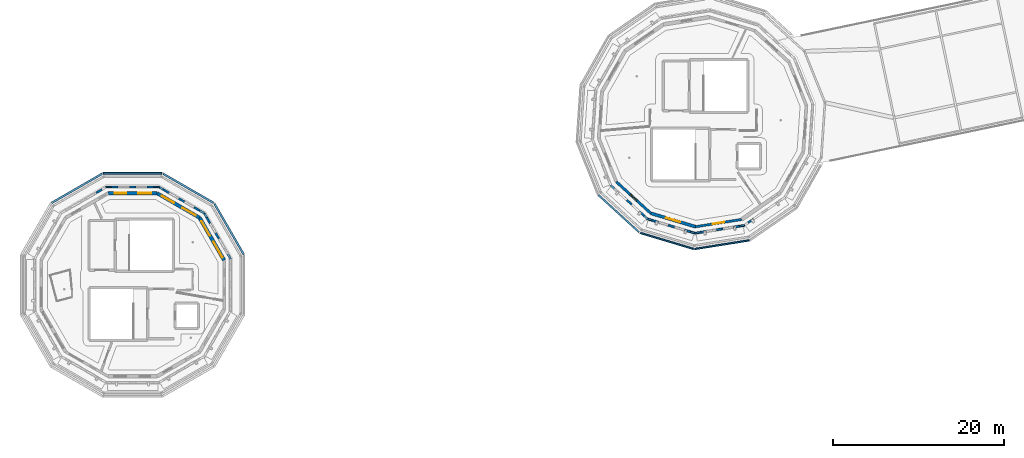
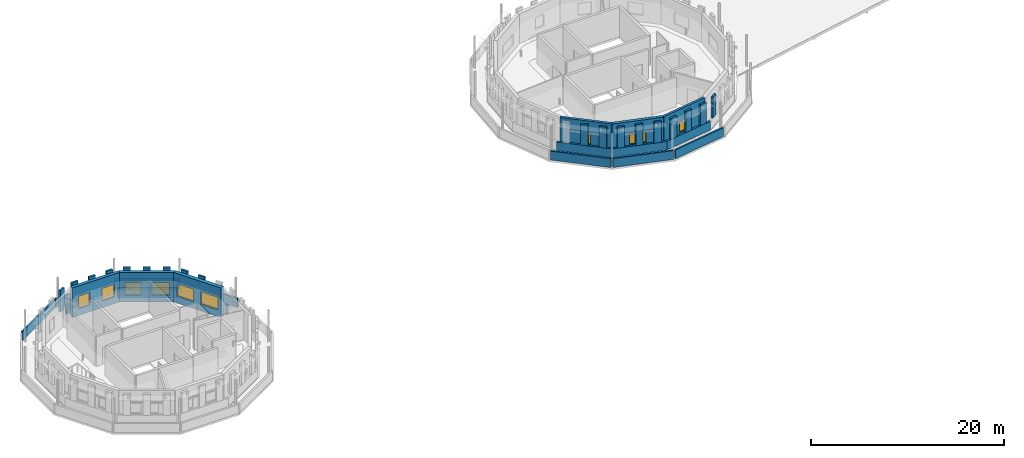
# One storey, part 38 of 51: 37 walls, 9 windows, 9 openings.
"""IFC4 building model written with IfcOpenShell, lengths in metres."""

from ifc_helpers import new_model, si_unit, direction, frame, frame_2d, origin, place, context, subcontext, project, spatial, rectangle, extrude, material, layer, layer_set, type_object, element, fill, save


model = new_model("IFC4")

# Units and contexts
model_context = context("Model", 3, precision=1e-05, world=origin(), true_north=direction((0.0, 1.0)))
body_context = subcontext(model_context, "Body", "Model", "MODEL_VIEW")
ifc_project = project(units=[si_unit("LENGTHUNIT", "METRE"), si_unit("AREAUNIT", "SQUARE_METRE"), si_unit("VOLUMEUNIT", "CUBIC_METRE"), si_unit("PLANEANGLEUNIT", "RADIAN"), si_unit("MASSUNIT", "GRAM", prefix="KILO")], contexts=[model_context])

# Site, building, storey
site_placement = place(None, origin())
site = spatial("IfcSite", under=ifc_project, at=site_placement, CompositionType="ELEMENT")
building_placement = place(site_placement, origin())
building = spatial("IfcBuilding", under=site, at=building_placement, Name="Wrenclough Park School", CompositionType="ELEMENT")
storey_placement = place(building_placement, frame((0.0, 0.0, 16.800048828125)))
storey = spatial("IfcBuildingStorey", under=building, at=storey_placement, Name="L04", CompositionType="ELEMENT", Elevation=16.800048828125)

# Walls
ifc_material_1 = material(Name="Perforated open-bond Staffordshire and Manchester brick screen pier", Category="masonry")
ifc_layer_1 = layer(ifc_material_1, 0.2451171875)
ifc_layer_set_1 = layer_set([ifc_layer_1], Name="Perforated open-bond Staffordshire and Manchester brick screen pier")
wall_type_1 = type_object("IfcWallType", Name="ENV-BS-PR245", PredefinedType="ELEMENTEDWALL", material=ifc_layer_set_1)
for number, where, z_axis, x_axis, name in (
    (1, (26.572265625, 94.87646484375, 1.08984375), (0.0, 0.0, 1.0), (-0.49987077196, 0.866100000774, 0.0), "D3 L04 perforated brick screen pier 0885"),
    (2, (25.537109375, 96.669677734375, 1.08984375), (0.0, 0.0, 1.0), (-0.500111695708, 0.865960906633, 0.0), "D3 L04 perforated brick screen pier 0886"),
    (3, (24.327880859375, 98.156982421875, 1.08984375), (0.0, 0.0, 1.0), (-0.865960906633, 0.500111695708, 0.0), "D3 L04 perforated brick screen pier 0887"),
    (4, (22.53466796875, 99.1923828125, 1.08984375), (0.0, 0.0, 1.0), (-0.866100000774, 0.49987077196, 0.0), "D3 L04 perforated brick screen pier 0888"),
    (5, (20.741455078125, 100.2275390625, 1.08984375), (0.0, 0.0, 1.0), (-0.865960906633, 0.500111695708, 0.0), "D3 L04 perforated brick screen pier 0889"),
    (6, (18.950439453125, 100.9111328125, 1.08984375), (0.0, 0.0, 1.0), (-1.0, 0.0, 0.0), "D3 L04 perforated brick screen pier 0890"),
):
    element("IfcWall", number, at=place(storey_placement, frame(where, z_axis=z_axis, x_axis=x_axis)), inside=storey, type_object=wall_type_1, Name=name, PredefinedType="ELEMENTEDWALL", context=body_context, shape_type="SweptSolid", body=[
        extrude(rectangle(XDim=0.760009765625, YDim=0.2451171875, at=frame_2d((0.3798828125, 0.0))), origin(), (0.0, 0.0, 1.0), 2.650146484375),
    ])
wall_1_placement = place(storey_placement, frame((16.8798828125, 100.9111328125, 1.08984375), z_axis=(0.0, 0.0, 1.0), x_axis=(-1.0, 0.0, 0.0)))
element("IfcWall", 7, at=wall_1_placement, inside=storey, type_object=wall_type_1, Name="D3 L04 perforated brick screen pier 0891", PredefinedType="ELEMENTEDWALL", context=body_context, shape_type="SweptSolid", body=[
    extrude(rectangle(XDim=0.759765625, YDim=0.2451171875, at=frame_2d((0.3798828125, 0.0))), origin(), (0.0, 0.0, 1.0), 2.650146484375),
])
for number, where, z_axis, x_axis, name in (
    (8, (14.8095703125, 100.9111328125, 1.08984375), (0.0, 0.0, 1.0), (-1.0, 0.0, 0.0), "D3 L04 perforated brick screen pier 0892"),
    (9, (12.916748046875, 100.607666015625, 1.08984375), (0.0, 0.0, 1.0), (-0.865960906633, -0.500111695708, 0.0), "D3 L04 perforated brick screen pier 0893"),
):
    element("IfcWall", number, at=place(storey_placement, frame(where, z_axis=z_axis, x_axis=x_axis)), inside=storey, type_object=wall_type_1, Name=name, PredefinedType="ELEMENTEDWALL", context=body_context, shape_type="SweptSolid", body=[
        extrude(rectangle(XDim=0.760009765625, YDim=0.2451171875, at=frame_2d((0.3798828125, 0.0))), origin(), (0.0, 0.0, 1.0), 2.650146484375),
    ])
for number, where, z_axis, x_axis, name in (
    (10, (74.15869140625, 99.390380859375, 1.08984375), (0.0, 0.0, 1.0), (0.738047098779, -0.674749197839, 0.0), "D4 L04 perforated brick screen pier 0945"),
    (11, (75.60400390625, 98.069091796875, 1.08984375), (0.0, 0.0, 1.0), (0.738047098779, -0.674749197839, 0.0), "D4 L04 perforated brick screen pier 0946"),
):
    element("IfcWall", number, at=place(storey_placement, frame(where, z_axis=z_axis, x_axis=x_axis)), inside=storey, type_object=wall_type_1, Name=name, PredefinedType="ELEMENTEDWALL", context=body_context, shape_type="SweptSolid", body=[
        extrude(rectangle(XDim=0.759765625, YDim=0.2451171875, at=frame_2d((0.3798828125, 0.0))), origin(), (0.0, 0.0, 1.0), 2.650146484375),
    ])
wall_2_placement = place(storey_placement, frame((77.111328125, 97.01953125, 1.08984375), z_axis=(0.0, 0.0, 1.0), x_axis=(0.957675839893, -0.287848893842, 0.0)))
element("IfcWall", 12, at=wall_2_placement, inside=storey, type_object=wall_type_1, Name="D4 L04 perforated brick screen pier 0947", PredefinedType="ELEMENTEDWALL", context=body_context, shape_type="SweptSolid", body=[
    extrude(rectangle(XDim=0.760009765625, YDim=0.2451171875, at=frame_2d((0.3798828125, 0.0))), origin(), (0.0, 0.0, 1.0), 2.650146484375),
])
wall_3_placement = place(storey_placement, frame((78.98681640625, 96.456298828125, 1.08984375), z_axis=(0.0, 0.0, 1.0), x_axis=(0.957764363162, -0.287554211684, 0.0)))
element("IfcWall", 13, at=wall_3_placement, inside=storey, type_object=wall_type_1, Name="D4 L04 perforated brick screen pier 0948", PredefinedType="ELEMENTEDWALL", context=body_context, shape_type="SweptSolid", body=[
    extrude(rectangle(XDim=0.759765625, YDim=0.2451171875, at=frame_2d((0.3798828125, 0.0))), origin(), (0.0, 0.0, 1.0), 2.650146484375),
])
wall_4_placement = place(storey_placement, frame((80.862060546875, 95.893310546875, 1.08984375), z_axis=(0.0, 0.0, 1.0), x_axis=(0.957702446242, -0.287760359434, 0.0)))
element("IfcWall", 14, at=wall_4_placement, inside=storey, type_object=wall_type_1, Name="D4 L04 perforated brick screen pier 0949", PredefinedType="ELEMENTEDWALL", context=body_context, shape_type="SweptSolid", body=[
    extrude(rectangle(XDim=0.76025390625, YDim=0.2451171875, at=frame_2d((0.380126953125, 0.0))), origin(), (0.0, 0.0, 1.0), 2.650146484375),
])
for number, where, z_axis, x_axis, name in (
    (15, (82.675537109375, 95.601318359375, 1.08984375), (0.0, 0.0, 1.0), (0.987689936286, 0.156424389909, 0.0), "D4 L04 perforated brick screen pier 0950"),
    (16, (84.609619140625, 95.90771484375, 1.08984375), (0.0, 0.0, 1.0), (0.987689936286, 0.156424389909, 0.0), "D4 L04 perforated brick screen pier 0951"),
    (17, (86.543701171875, 96.214111328125, 1.08984375), (0.0, 0.0, 1.0), (0.987689936286, 0.156424389909, 0.0), "D4 L04 perforated brick screen pier 0952"),
    (18, (88.30419921875, 96.738037109375, 1.08984375), (0.0, 0.0, 1.0), (0.821983990668, 0.569510596113, 0.0), "D4 L04 perforated brick screen pier 0953"),
):
    element("IfcWall", number, at=place(storey_placement, frame(where, z_axis=z_axis, x_axis=x_axis)), inside=storey, type_object=wall_type_1, Name=name, PredefinedType="ELEMENTEDWALL", context=body_context, shape_type="SweptSolid", body=[
        extrude(rectangle(XDim=0.760009765625, YDim=0.2451171875, at=frame_2d((0.3798828125, 0.0))), origin(), (0.0, 0.0, 1.0), 2.650146484375),
    ])
ifc_material_2 = material(Name="Open-bond Manchester multi-stock brick spandrel screen", Category="masonry")
ifc_layer_2 = layer(ifc_material_2, 0.22509765625)
ifc_layer_set_2 = layer_set([ifc_layer_2], Name="Open-bond Manchester multi-stock brick spandrel screen")
wall_type_2 = type_object("IfcWallType", Name="ENV-BS-SP225", PredefinedType="ELEMENTEDWALL", material=ifc_layer_set_2)
for number, where, z_axis, x_axis, name in (
    (19, (27.935302734375, 92.515869140625, 0.0), (0.0, 0.0, 1.0), (-0.500019578005, 0.866014100123, 0.0), "D3 L04 open-bond brick screen spandrel 0240"),
    (20, (24.895263671875, 97.829345703125, 0.0), (0.0, 0.0, 1.0), (-0.866014100123, 0.500019578005, 0.0), "D3 L04 open-bond brick screen spandrel 0241"),
):
    element("IfcWall", number, at=place(storey_placement, frame(where, z_axis=z_axis, x_axis=x_axis)), inside=storey, type_object=wall_type_2, Name=name, PredefinedType="ELEMENTEDWALL", context=body_context, shape_type="SweptSolid", body=[
        extrude(rectangle(XDim=6.211669921875, YDim=0.22509765625, at=frame_2d((3.10595703125, 0.0))), origin(), (0.0, 0.0, 1.0), 1.08984375),
    ])
wall_5_placement = place(storey_placement, frame((19.605712890625, 100.9111328125, 0.0), z_axis=(0.0, 0.0, 1.0), x_axis=(-1.0, 0.0, 0.0)))
element("IfcWall", 21, at=wall_5_placement, inside=storey, type_object=wall_type_2, Name="D3 L04 open-bond brick screen spandrel 0242", PredefinedType="ELEMENTEDWALL", context=body_context, shape_type="SweptSolid", body=[
    extrude(rectangle(XDim=6.21142578125, YDim=0.22509765625, at=frame_2d((3.105712890625, 0.0))), origin(), (0.0, 0.0, 1.0), 1.08984375),
])
for number, where, z_axis, x_axis, name in (
    (22, (72.27099609375, 101.11572265625, 0.0), (0.0, 0.0, 1.0), (0.738124598453, -0.67466441818, 0.0), "D4 L04 open-bond brick screen spandrel 0260"),
    (23, (76.53759765625, 97.19189453125, 0.0), (0.0, 0.0, 1.0), (0.957740454416, -0.287633833153, 0.0), "D4 L04 open-bond brick screen spandrel 0261"),
    (24, (82.083740234375, 95.5078125, 0.0), (0.0, 0.0, 1.0), (0.987689397559, 0.156427791484, 0.0), "D4 L04 open-bond brick screen spandrel 0262"),
):
    element("IfcWall", number, at=place(storey_placement, frame(where, z_axis=z_axis, x_axis=x_axis)), inside=storey, type_object=wall_type_2, Name=name, PredefinedType="ELEMENTEDWALL", context=body_context, shape_type="SweptSolid", body=[
        extrude(rectangle(XDim=5.87451171875, YDim=0.22509765625, at=frame_2d((2.937255859375, 0.0))), origin(), (0.0, 0.0, 1.0), 1.08984375),
    ])

# Wall, opening, window
ifc_material_3 = material(Name="Link wing brick-faced cavity wall Concrete C32/40", Category="masonry")
ifc_layer_3 = layer(ifc_material_3, 0.27490234375)
ifc_layer_set_3 = layer_set([ifc_layer_3], Name="Link wing brick-faced cavity wall Concrete C32/40")
wall_type_3 = type_object("IfcWallType", Name="ENV-EW-275", PredefinedType="SOLIDWALL", material=ifc_layer_set_3)
wall_6_placement = place(storey_placement, frame((87.563232421875, 97.1240234375, 0.0), z_axis=(0.0, 0.0, 1.0), x_axis=(-0.987691011109, -0.156417603146, 0.0)))
wall_6 = element("IfcWall", 25, at=wall_6_placement, inside=storey, type_object=wall_type_3, Name="L04 insulated brick external wall 0366", PredefinedType="SOLIDWALL", context=body_context, shape_type="SweptSolid", body=[
    extrude(rectangle(XDim=5.455078125, YDim=0.27490234375, at=frame_2d((2.7275390625, 0.0))), origin(), (0.0, 0.0, 1.0), 3.739990234375),
])
opening_1_placement = place(wall_6_placement, frame((2.052490234375, 0.0, 0.85009765625)))
opening_1 = element("IfcOpeningElement", 26, at=opening_1_placement, cuts=wall_6, Name="Opening WN-43", PredefinedType="OPENING", context=body_context, shape_type="SweptSolid", body=[
    extrude(rectangle(XDim=1.35009765625, YDim=1.300048828125, at=frame_2d((0.675048828125, 0.64990234375))), frame((0.0, 0.1474609375, 0.0), z_axis=(0.0, -1.0, 0.0), x_axis=(1.0, 0.0, 0.0)), (0.0, 0.0, 1.0), 0.294921875),
])
ifc_material_4 = material(Name="Thermally broken aluminium and double-glazed low-e glass", Category="aluminium")
window_type_1 = type_object("IfcWindowType", Name="ENV-WN-43", PartitioningType="SINGLE_PANEL", PredefinedType="WINDOW", material=ifc_material_4)
window_1_placement = place(opening_1_placement, origin())
window_1 = element("IfcWindow", 27, at=window_1_placement, inside=storey, type_object=window_type_1, Name="L04 scheduled facade window 0602", OverallHeight=1.300048828125, OverallWidth=1.35009765625, PartitioningType="SINGLE_PANEL", PredefinedType="WINDOW", context=body_context, shape_type="SweptSolid", body=[
    extrude(rectangle(XDim=1.35009765625, YDim=1.300048828125, at=frame_2d((0.675048828125, 0.64990234375))), frame((0.0, 0.030029296875, 0.0), z_axis=(0.0, -1.0, 0.0), x_axis=(1.0, 0.0, 0.0)), (0.0, 0.0, 1.0), 0.06005859375),
])
fill(opening_1, window_1)

ifc_material_5 = material(Name="Manchester multi-stock brick and Concrete C32/40 inner leaf", Category="masonry")
ifc_layer_4 = layer(ifc_material_5, 0.300048828125)
ifc_layer_set_4 = layer_set([ifc_layer_4], Name="Manchester multi-stock brick and Concrete C32/40 inner leaf")
wall_type_4 = type_object("IfcWallType", Name="ENV-EW-300", PredefinedType="SOLIDWALL", material=ifc_layer_set_4)
wall_7_placement = place(storey_placement, frame((76.951416015625, 97.839599609375, 0.0), z_axis=(0.0, 0.0, 1.0), x_axis=(-0.738124958586, 0.674664024173, 0.0)))
wall_7 = element("IfcWall", 28, at=wall_7_placement, inside=storey, type_object=wall_type_4, Name="L04 insulated brick external wall 0368", PredefinedType="SOLIDWALL", context=body_context, shape_type="SweptSolid", body=[
    extrude(rectangle(XDim=5.455078125, YDim=0.300048828125, at=frame_2d((2.7275390625, 0.0))), origin(), (0.0, 0.0, 1.0), 3.739990234375),
])
opening_2_placement = place(wall_7_placement, frame((2.2275390625, 0.0, 0.85009765625)))
opening_2 = element("IfcOpeningElement", 29, at=opening_2_placement, cuts=wall_7, Name="Opening WN-45", PredefinedType="OPENING", context=body_context, shape_type="SweptSolid", body=[
    extrude(rectangle(XDim=1.0, YDim=1.300048828125, at=frame_2d((0.5, 0.64990234375))), frame((0.0, 0.159912109375, 0.0), z_axis=(0.0, -1.0, 0.0), x_axis=(1.0, 0.0, 0.0)), (0.0, 0.0, 1.0), 0.320068359375),
])
window_type_2 = type_object("IfcWindowType", Name="ENV-WN-45", PartitioningType="SINGLE_PANEL", PredefinedType="WINDOW", material=ifc_material_4)
window_2_placement = place(opening_2_placement, origin())
window_2 = element("IfcWindow", 30, at=window_2_placement, inside=storey, type_object=window_type_2, Name="L04 scheduled facade window 0604", OverallHeight=1.300048828125, OverallWidth=1.0, PartitioningType="SINGLE_PANEL", PredefinedType="WINDOW", context=body_context, shape_type="SweptSolid", body=[
    extrude(rectangle(XDim=1.0, YDim=1.300048828125, at=frame_2d((0.5, 0.64990234375))), frame((0.0, 0.030029296875, 0.0), z_axis=(0.0, -1.0, 0.0), x_axis=(1.0, 0.0, 0.0)), (0.0, 0.0, 1.0), 0.06005859375),
])
fill(opening_2, window_2)

ifc_material_6 = material(Name="Faceted courtyard brick-cavity wall Concrete C35/45", Category="masonry")
ifc_layer_5 = layer(ifc_material_6, 0.364990234375)
ifc_layer_set_5 = layer_set([ifc_layer_5], Name="Faceted courtyard brick-cavity wall Concrete C35/45")
wall_type_5 = type_object("IfcWallType", Name="ENV-EW-365", PredefinedType="SOLIDWALL", material=ifc_layer_set_5)
wall_8_placement = place(storey_placement, frame((82.17529296875, 96.270751953125, 0.0), z_axis=(0.0, 0.0, 1.0), x_axis=(-0.957741239353, 0.287631219521, 0.0)))
wall_8 = element("IfcWall", 31, at=wall_8_placement, inside=storey, type_object=wall_type_5, Name="L04 insulated brick external wall 0367", PredefinedType="SOLIDWALL", context=body_context, shape_type="SweptSolid", body=[
    extrude(rectangle(XDim=5.454345703125, YDim=0.364990234375, at=frame_2d((2.72705078125, 0.0))), origin(), (0.0, 0.0, 1.0), 3.739990234375),
])
opening_3_placement = place(wall_8_placement, frame((1.852294921875, 0.0, 0.85009765625)))
opening_3 = element("IfcOpeningElement", 32, at=opening_3_placement, cuts=wall_8, Name="Opening WN-44", PredefinedType="OPENING", context=body_context, shape_type="SweptSolid", body=[
    extrude(rectangle(XDim=1.75, YDim=1.300048828125, at=frame_2d((0.875, 0.64990234375))), frame((0.0, 0.1923828125, 0.0), z_axis=(0.0, -1.0, 0.0), x_axis=(1.0, 0.0, 0.0)), (0.0, 0.0, 1.0), 0.385009765625),
])
window_type_3 = type_object("IfcWindowType", Name="ENV-WN-44", PartitioningType="DOUBLE_PANEL_VERTICAL", PredefinedType="WINDOW", material=ifc_material_4)
window_3_placement = place(opening_3_placement, origin())
window_3 = element("IfcWindow", 33, at=window_3_placement, inside=storey, type_object=window_type_3, Name="L04 scheduled facade window 0603", OverallHeight=1.300048828125, OverallWidth=1.75, PartitioningType="SINGLE_PANEL", PredefinedType="WINDOW", context=body_context, shape_type="SweptSolid", body=[
    extrude(rectangle(XDim=1.75, YDim=1.300048828125, at=frame_2d((0.875, 0.64990234375))), frame((0.0, 0.030029296875, 0.0), z_axis=(0.0, -1.0, 0.0), x_axis=(1.0, 0.0, 0.0)), (0.0, 0.0, 1.0), 0.06005859375),
])
fill(opening_3, window_3)

# Wall, openings, windows
ifc_material_7 = material(Name="Manchester multi-stock brick and Concrete C35/45 inner leaf", Category="masonry")
ifc_layer_6 = layer(ifc_material_7, 0.3798828125)
ifc_layer_set_6 = layer_set([ifc_layer_6], Name="Manchester multi-stock brick and Concrete C35/45 inner leaf")
wall_type_6 = type_object("IfcWallType", Name="ENV-EW-380", PredefinedType="SOLIDWALL", material=ifc_layer_set_6)
wall_9_placement = place(storey_placement, frame((13.638427734375, 100.17919921875, 0.0), z_axis=(0.0, 0.0, 1.0), x_axis=(1.0, 0.0, 0.0)))
wall_9 = element("IfcWall", 34, at=wall_9_placement, inside=storey, type_object=wall_type_6, Name="L04 insulated brick external wall 0387", PredefinedType="SOLIDWALL", context=body_context, shape_type="SweptSolid", body=[
    extrude(rectangle(XDim=5.72314453125, YDim=0.3798828125, at=frame_2d((2.861572265625, 0.0))), origin(), (0.0, 0.0, 1.0), 3.739990234375),
])
opening_4_placement = place(wall_9_placement, frame((0.755615234375, 0.0, 0.85009765625)))
opening_4 = element("IfcOpeningElement", 35, at=opening_4_placement, cuts=wall_9, Name="Opening WN-16", PredefinedType="OPENING", context=body_context, shape_type="SweptSolid", body=[
    extrude(rectangle(XDim=1.35009765625, YDim=1.60009765625, at=frame_2d((0.675048828125, 0.800048828125))), frame((0.0, 0.199951171875, 0.0), z_axis=(0.0, -1.0, 0.0), x_axis=(1.0, 0.0, 0.0)), (0.0, 0.0, 1.0), 0.39990234375),
])
opening_5_placement = place(wall_9_placement, frame((3.542236328125, 0.0, 0.85009765625)))
opening_5 = element("IfcOpeningElement", 36, at=opening_5_placement, cuts=wall_9, Name="Opening WN-17", PredefinedType="OPENING", context=body_context, shape_type="SweptSolid", body=[
    extrude(rectangle(XDim=1.5, YDim=1.60009765625, at=frame_2d((0.75, 0.800048828125))), frame((0.0, 0.199951171875, 0.0), z_axis=(0.0, -1.0, 0.0), x_axis=(1.0, 0.0, 0.0)), (0.0, 0.0, 1.0), 0.39990234375),
])
window_type_4 = type_object("IfcWindowType", Name="ENV-WN-16", PartitioningType="SINGLE_PANEL", PredefinedType="WINDOW", material=ifc_material_4)
window_4_placement = place(opening_4_placement, origin())
window_4 = element("IfcWindow", 37, at=window_4_placement, inside=storey, type_object=window_type_4, Name="L04 scheduled facade window 0631", OverallHeight=1.60009765625, OverallWidth=1.35009765625, PartitioningType="SINGLE_PANEL", PredefinedType="WINDOW", context=body_context, shape_type="SweptSolid", body=[
    extrude(rectangle(XDim=1.35009765625, YDim=1.60009765625, at=frame_2d((0.675048828125, 0.800048828125))), frame((0.0, 0.030029296875, 0.0), z_axis=(0.0, -1.0, 0.0), x_axis=(1.0, 0.0, 0.0)), (0.0, 0.0, 1.0), 0.06005859375),
])
fill(opening_4, window_4)
window_type_5 = type_object("IfcWindowType", Name="ENV-WN-17", PartitioningType="DOUBLE_PANEL_VERTICAL", PredefinedType="WINDOW", material=ifc_material_4)
window_5_placement = place(opening_5_placement, origin())
window_5 = element("IfcWindow", 38, at=window_5_placement, inside=storey, type_object=window_type_5, Name="L04 scheduled facade window 0632", OverallHeight=1.60009765625, OverallWidth=1.5, PartitioningType="SINGLE_PANEL", PredefinedType="WINDOW", context=body_context, shape_type="SweptSolid", body=[
    extrude(rectangle(XDim=1.5, YDim=1.60009765625, at=frame_2d((0.75, 0.800048828125))), frame((0.0, 0.030029296875, 0.0), z_axis=(0.0, -1.0, 0.0), x_axis=(1.0, 0.0, 0.0)), (0.0, 0.0, 1.0), 0.06005859375),
])
fill(opening_5, window_5)

ifc_material_8 = material(Name="Staffordshire blue-grey brick and Concrete C40/50 acoustic leaf", Category="masonry")
ifc_layer_7 = layer(ifc_material_8, 0.39990234375)
ifc_layer_set_7 = layer_set([ifc_layer_7], Name="Staffordshire blue-grey brick and Concrete C40/50 acoustic leaf")
wall_type_7 = type_object("IfcWallType", Name="ENV-EW-400", PredefinedType="SOLIDWALL", material=ifc_layer_set_7)
wall_10_placement = place(storey_placement, frame((19.361572265625, 100.17919921875, 0.0), z_axis=(0.0, 0.0, 1.0), x_axis=(0.866010818647, -0.500025261348, 0.0)))
wall_10 = element("IfcWall", 39, at=wall_10_placement, inside=storey, type_object=wall_type_7, Name="L04 insulated brick external wall 0388", PredefinedType="SOLIDWALL", context=body_context, shape_type="SweptSolid", body=[
    extrude(rectangle(XDim=5.722900390625, YDim=0.39990234375, at=frame_2d((2.861328125, 0.0))), origin(), (0.0, 0.0, 1.0), 3.739990234375),
])
opening_6_placement = place(wall_10_placement, frame((0.605712890625, 0.0, 0.85009765625)))
opening_6 = element("IfcOpeningElement", 40, at=opening_6_placement, cuts=wall_10, Name="Opening WN-18", PredefinedType="OPENING", context=body_context, shape_type="SweptSolid", body=[
    extrude(rectangle(XDim=1.64990234375, YDim=1.60009765625, at=frame_2d((0.824951171875, 0.800048828125))), frame((0.0, 0.2099609375, 0.0), z_axis=(0.0, -1.0, 0.0), x_axis=(1.0, 0.0, 0.0)), (0.0, 0.0, 1.0), 0.419921875),
])
opening_7_placement = place(wall_10_placement, frame((3.39208984375, 0.0, 0.85009765625)))
opening_7 = element("IfcOpeningElement", 41, at=opening_7_placement, cuts=wall_10, Name="Opening WN-19", PredefinedType="OPENING", context=body_context, shape_type="SweptSolid", body=[
    extrude(rectangle(XDim=1.800048828125, YDim=1.60009765625, at=frame_2d((0.89990234375, 0.800048828125))), frame((0.0, 0.2099609375, 0.0), z_axis=(0.0, -1.0, 0.0), x_axis=(1.0, 0.0, 0.0)), (0.0, 0.0, 1.0), 0.419921875),
])
window_type_6 = type_object("IfcWindowType", Name="ENV-WN-18", PartitioningType="DOUBLE_PANEL_VERTICAL", PredefinedType="WINDOW", material=ifc_material_4)
window_6_placement = place(opening_6_placement, origin())
window_6 = element("IfcWindow", 42, at=window_6_placement, inside=storey, type_object=window_type_6, Name="L04 scheduled facade window 0633", OverallHeight=1.60009765625, OverallWidth=1.64990234375, PartitioningType="SINGLE_PANEL", PredefinedType="WINDOW", context=body_context, shape_type="SweptSolid", body=[
    extrude(rectangle(XDim=1.64990234375, YDim=1.60009765625, at=frame_2d((0.824951171875, 0.800048828125))), frame((0.0, 0.030029296875, 0.0), z_axis=(0.0, -1.0, 0.0), x_axis=(1.0, 0.0, 0.0)), (0.0, 0.0, 1.0), 0.06005859375),
])
fill(opening_6, window_6)
window_type_7 = type_object("IfcWindowType", Name="ENV-WN-19", PartitioningType="DOUBLE_PANEL_VERTICAL", PredefinedType="WINDOW", material=ifc_material_4)
window_7_placement = place(opening_7_placement, origin())
window_7 = element("IfcWindow", 43, at=window_7_placement, inside=storey, type_object=window_type_7, Name="L04 scheduled facade window 0634", OverallHeight=1.60009765625, OverallWidth=1.800048828125, PartitioningType="SINGLE_PANEL", PredefinedType="WINDOW", context=body_context, shape_type="SweptSolid", body=[
    extrude(rectangle(XDim=1.800048828125, YDim=1.60009765625, at=frame_2d((0.89990234375, 0.800048828125))), frame((0.0, 0.030029296875, 0.0), z_axis=(0.0, -1.0, 0.0), x_axis=(1.0, 0.0, 0.0)), (0.0, 0.0, 1.0), 0.06005859375),
])
fill(opening_7, window_7)

ifc_material_9 = material(Name="Insulated brick-clad sports hall wall Concrete C40/50", Category="masonry")
ifc_layer_8 = layer(ifc_material_9, 0.425048828125)
ifc_layer_set_8 = layer_set([ifc_layer_8], Name="Insulated brick-clad sports hall wall Concrete C40/50")
wall_type_8 = type_object("IfcWallType", Name="ENV-EW-425", PredefinedType="SOLIDWALL", material=ifc_layer_set_8)
wall_11_placement = place(storey_placement, frame((24.317626953125, 97.317626953125, 0.0), z_axis=(0.0, 0.0, 1.0), x_axis=(0.500025261348, -0.866010818647, 0.0)))
wall_11 = element("IfcWall", 44, at=wall_11_placement, inside=storey, type_object=wall_type_8, Name="L04 insulated brick external wall 0389", PredefinedType="SOLIDWALL", context=body_context, shape_type="SweptSolid", body=[
    extrude(rectangle(XDim=5.722900390625, YDim=0.425048828125, at=frame_2d((2.861328125, 0.0))), origin(), (0.0, 0.0, 1.0), 3.739990234375),
])
opening_8_placement = place(wall_11_placement, frame((0.455810546875, 0.0, 0.85009765625)))
opening_8 = element("IfcOpeningElement", 45, at=opening_8_placement, cuts=wall_11, Name="Opening WN-20", PredefinedType="OPENING", context=body_context, shape_type="SweptSolid", body=[
    extrude(rectangle(XDim=1.949951171875, YDim=1.60009765625, at=frame_2d((0.97509765625, 0.800048828125))), frame((0.0, 0.222412109375, 0.0), z_axis=(0.0, -1.0, 0.0), x_axis=(1.0, 0.0, 0.0)), (0.0, 0.0, 1.0), 0.445068359375),
])
opening_9_placement = place(wall_11_placement, frame((3.2421875, 0.0, 0.85009765625)))
opening_9 = element("IfcOpeningElement", 46, at=opening_9_placement, cuts=wall_11, Name="Opening WN-21", PredefinedType="OPENING", context=body_context, shape_type="SweptSolid", body=[
    extrude(rectangle(XDim=2.10009765625, YDim=1.60009765625, at=frame_2d((1.050048828125, 0.800048828125))), frame((0.0, 0.222412109375, 0.0), z_axis=(0.0, -1.0, 0.0), x_axis=(1.0, 0.0, 0.0)), (0.0, 0.0, 1.0), 0.445068359375),
])
window_type_8 = type_object("IfcWindowType", Name="ENV-WN-20", PartitioningType="DOUBLE_PANEL_VERTICAL", PredefinedType="WINDOW", material=ifc_material_4)
window_8_placement = place(opening_8_placement, origin())
window_8 = element("IfcWindow", 47, at=window_8_placement, inside=storey, type_object=window_type_8, Name="L04 scheduled facade window 0635", OverallHeight=1.60009765625, OverallWidth=1.949951171875, PartitioningType="SINGLE_PANEL", PredefinedType="WINDOW", context=body_context, shape_type="SweptSolid", body=[
    extrude(rectangle(XDim=1.949951171875, YDim=1.60009765625, at=frame_2d((0.97509765625, 0.800048828125))), frame((0.0, 0.030029296875, 0.0), z_axis=(0.0, -1.0, 0.0), x_axis=(1.0, 0.0, 0.0)), (0.0, 0.0, 1.0), 0.06005859375),
])
fill(opening_8, window_8)
window_type_9 = type_object("IfcWindowType", Name="ENV-WN-21", PartitioningType="DOUBLE_PANEL_VERTICAL", PredefinedType="WINDOW", material=ifc_material_4)
window_9_placement = place(opening_9_placement, origin())
window_9 = element("IfcWindow", 48, at=window_9_placement, inside=storey, type_object=window_type_9, Name="L04 scheduled facade window 0636", OverallHeight=1.60009765625, OverallWidth=2.10009765625, PartitioningType="SINGLE_PANEL", PredefinedType="WINDOW", context=body_context, shape_type="SweptSolid", body=[
    extrude(rectangle(XDim=2.10009765625, YDim=1.60009765625, at=frame_2d((1.050048828125, 0.800048828125))), frame((0.0, 0.030029296875, 0.0), z_axis=(0.0, -1.0, 0.0), x_axis=(1.0, 0.0, 0.0)), (0.0, 0.0, 1.0), 0.06005859375),
])
fill(opening_9, window_9)

# Walls
ifc_material_10 = material(Name="Patinated copper-coped link roof parapet", Category="masonry")
ifc_layer_9 = layer(ifc_material_10, 0.18994140625)
ifc_layer_set_9 = layer_set([ifc_layer_9], Name="Patinated copper-coped link roof parapet")
wall_type_9 = type_object("IfcWallType", Name="ENV-PW-190", PredefinedType="PARAPET", material=ifc_layer_set_9)
wall_12_placement = place(storey_placement, frame((70.843017578125, 99.968994140625, 0.0), z_axis=(0.0, 0.0, 1.0), x_axis=(0.738128123438, -0.674660561609, 0.0)))
element("IfcWall", 49, at=wall_12_placement, inside=storey, type_object=wall_type_9, Name="D4-STEP-ROOF cylindrical drum parapet wall 050", PredefinedType="PARAPET", context=body_context, shape_type="SweptSolid", body=[
    extrude(rectangle(XDim=6.435546875, YDim=0.18994140625, at=frame_2d((3.2177734375, 0.0))), origin(), (0.0, 0.0, 1.0), 1.119873046875),
])
wall_13_placement = place(storey_placement, frame((75.748291015625, 95.5390625, 0.0), z_axis=(0.0, 0.0, 1.0), x_axis=(0.957754212723, -0.28758801785, 0.0)))
element("IfcWall", 50, at=wall_13_placement, inside=storey, type_object=wall_type_9, Name="D4-STEP-ROOF cylindrical drum parapet wall 051", PredefinedType="PARAPET", context=body_context, shape_type="SweptSolid", body=[
    extrude(rectangle(XDim=6.435791015625, YDim=0.18994140625, at=frame_2d((3.2177734375, 0.0))), origin(), (0.0, 0.0, 1.0), 1.119873046875),
])
wall_14_placement = place(storey_placement, frame((82.090087890625, 93.67626953125, 0.0), z_axis=(0.0, 0.0, 1.0), x_axis=(0.987685637703, 0.156451529475, 0.0)))
element("IfcWall", 51, at=wall_14_placement, inside=storey, type_object=wall_type_9, Name="D4-STEP-ROOF cylindrical drum parapet wall 052", PredefinedType="PARAPET", context=body_context, shape_type="SweptSolid", body=[
    extrude(rectangle(XDim=6.435546875, YDim=0.18994140625, at=frame_2d((3.2177734375, 0.0))), origin(), (0.0, 0.0, 1.0), 1.119873046875),
])
ifc_material_11 = material(Name="Capped Staffordshire blue-grey brick parapet", Category="masonry")
ifc_layer_10 = layer(ifc_material_11, 0.215087890625)
ifc_layer_set_10 = layer_set([ifc_layer_10], Name="Capped Staffordshire blue-grey brick parapet")
wall_type_10 = type_object("IfcWallType", Name="ENV-PW-215", PredefinedType="PARAPET", material=ifc_layer_set_10)
for number, where, z_axis, x_axis, name in (
    (52, (29.45751953125, 93.05517578125, 0.0), (0.0, 0.0, 1.0), (-0.499992841449, 0.866029536736, 0.0), "D3-STEP-ROOF cylindrical drum parapet wall 031"),
    (53, (25.944091796875, 99.0576171875, 0.0), (0.0, 0.0, 1.0), (-0.866029536736, 0.499992841449, 0.0), "D3-STEP-ROOF cylindrical drum parapet wall 032"),
    (54, (19.89990234375, 102.4990234375, 0.0), (0.0, 0.0, 1.0), (-1.0, 0.0, 0.0), "D3-STEP-ROOF cylindrical drum parapet wall 033"),
    (55, (12.94482421875, 102.45751953125, 0.0), (0.0, 0.0, 1.0), (-0.866029536736, -0.499992841449, 0.0), "D3-STEP-ROOF cylindrical drum parapet wall 034"),
):
    element("IfcWall", number, at=place(storey_placement, frame(where, z_axis=z_axis, x_axis=x_axis)), inside=storey, type_object=wall_type_10, Name=name, PredefinedType="PARAPET", context=body_context, shape_type="SweptSolid", body=[
        extrude(rectangle(XDim=6.7998046875, YDim=0.215087890625, at=frame_2d((3.39990234375, 0.0))), origin(), (0.0, 0.0, 1.0), 1.119873046875),
    ])

save(model, "model.ifc")
